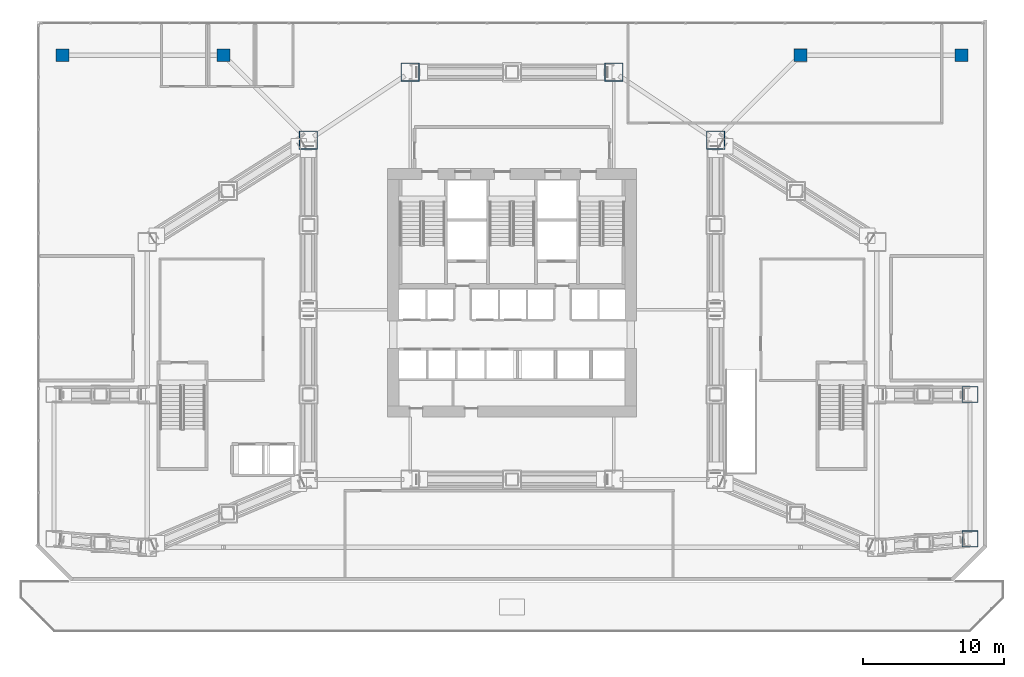
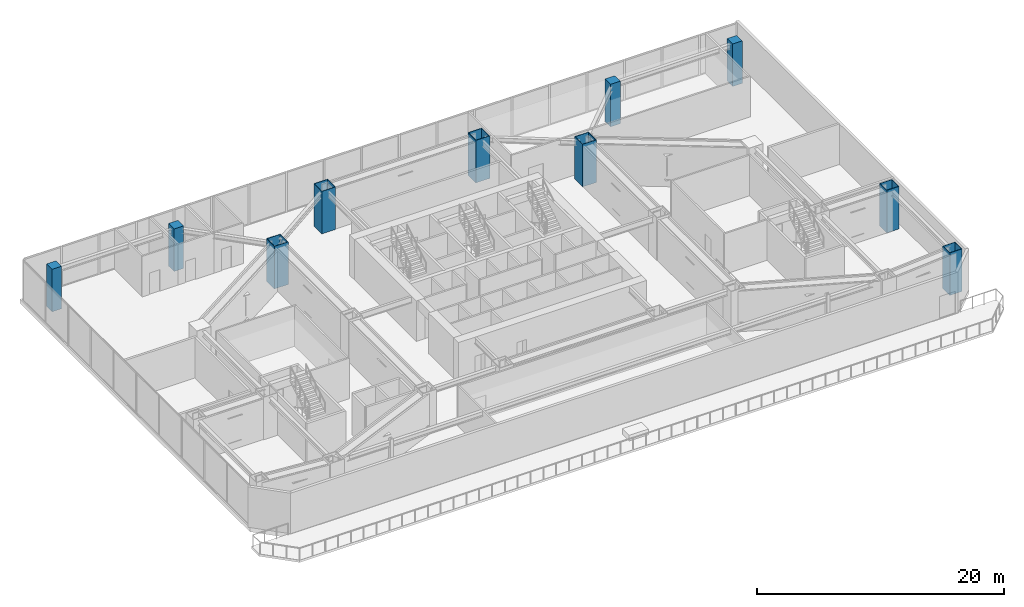
# One storey, part 3 of 39: 10 columns.
"""IFC4 building model written with IfcOpenShell, lengths in metres."""

from ifc_helpers import new_model, si_unit, direction, frame, origin, origin_2d, place, context, subcontext, project, spatial, rectangle, hollow_rectangle, extrude, material, material_profile, profile_set, type_object, element, save


model = new_model("IFC4")

# Units and contexts
model_context = context("Model", 3, precision=1e-05, world=origin(), true_north=direction((0.0, 1.0)))
body_context = subcontext(model_context, "Body", "Model", "MODEL_VIEW")
ifc_project = project(units=[si_unit("LENGTHUNIT", "METRE"), si_unit("AREAUNIT", "SQUARE_METRE"), si_unit("VOLUMEUNIT", "CUBIC_METRE"), si_unit("PLANEANGLEUNIT", "RADIAN"), si_unit("MASSUNIT", "GRAM", prefix="KILO")], contexts=[model_context])

# Site, building, storey
site_placement = place(None, origin())
site = spatial("IfcSite", under=ifc_project, at=site_placement, CompositionType="ELEMENT")
building_placement = place(site_placement, origin())
building = spatial("IfcBuilding", under=site, at=building_placement, Name="Haolan Belvedere Tower", CompositionType="ELEMENT")
storey_placement = place(building_placement, frame((0.0, 0.0, 19.800048828125)))
storey = spatial("IfcBuildingStorey", under=building, at=storey_placement, Name="L04", CompositionType="ELEMENT", Elevation=19.800048828125)

# Columns
ifc_material_1 = material(Name="Steel Q355B", Category="steel")
ifc_material_profile_1 = material_profile(ifc_material_1, hollow_rectangle(XDim=1.14990234375, YDim=1.14990234375, WallThickness=0.0419921875, at=origin_2d()), Name="Steel Q355B")
ifc_profile_set_1 = profile_set([ifc_material_profile_1], Name="Steel Q355B")
column_type_1 = type_object("IfcColumnType", Name="COL-BOX1150x1150x42", PredefinedType="COLUMN", material=ifc_profile_set_1)
for number, where, z_axis, x_axis, name in (
    (1, (70.800048828125, 17.39990234375, 0.0), (0.0, 0.0, 1.0), (1.0, 0.0, 0.0), "L04 column MC-T5-SE (BOX1150x1150x42)"),
    (2, (70.800048828125, 27.60009765625, 0.0), (0.0, 0.0, 1.0), (1.0, 0.0, 0.0), "L04 column MC-T5-NE (BOX1150x1150x42)"),
):
    element("IfcColumn", number, at=place(storey_placement, frame(where, z_axis=z_axis, x_axis=x_axis)), inside=storey, type_object=column_type_1, Name=name, PredefinedType="COLUMN", context=body_context, shape_type="SweptSolid", body=[
        extrude(hollow_rectangle(XDim=1.14990234375, YDim=1.14990234375, WallThickness=0.0419921875, at=origin_2d()), origin(), (0.0, 0.0, 1.0), 4.199951171875),
    ])
ifc_material_profile_2 = material_profile(ifc_material_1, hollow_rectangle(XDim=1.300048828125, YDim=1.300048828125, WallThickness=0.048095703125, at=origin_2d()), Name="Steel Q355B")
ifc_profile_set_2 = profile_set([ifc_material_profile_2], Name="Steel Q355B")
column_type_2 = type_object("IfcColumnType", Name="COL-BOX1300x1300x48", PredefinedType="COLUMN", material=ifc_profile_set_2)
for number, where, z_axis, x_axis, name in (
    (3, (24.0, 45.60009765625, 0.0), (0.0, 0.0, 1.0), (1.0, 0.0, 0.0), "L04 column MC-T3-NW (BOX1300x1300x48)"),
    (4, (52.800048828125, 45.60009765625, 0.0), (0.0, 0.0, 1.0), (1.0, 0.0, 0.0), "L04 column MC-T3-NE (BOX1300x1300x48)"),
    (5, (31.199951171875, 50.39990234375, 0.0), (0.0, 0.0, 1.0), (1.0, 0.0, 0.0), "L04 column MC-T3-N1 (BOX1300x1300x48)"),
    (6, (45.60009765625, 50.39990234375, 0.0), (0.0, 0.0, 1.0), (1.0, 0.0, 0.0), "L04 column MC-T3-N2 (BOX1300x1300x48)"),
):
    element("IfcColumn", number, at=place(storey_placement, frame(where, z_axis=z_axis, x_axis=x_axis)), inside=storey, type_object=column_type_2, Name=name, PredefinedType="COLUMN", context=body_context, shape_type="SweptSolid", body=[
        extrude(hollow_rectangle(XDim=1.300048828125, YDim=1.300048828125, WallThickness=0.048095703125, at=origin_2d()), origin(), (0.0, 0.0, 1.0), 4.199951171875),
    ])
ifc_material_2 = material(Name="Concrete C50/60", Category="concrete")
ifc_material_profile_3 = material_profile(ifc_material_2, rectangle(XDim=0.89990234375, YDim=0.89990234375, at=origin_2d()), Name="Concrete C50/60")
ifc_profile_set_3 = profile_set([ifc_material_profile_3], Name="Concrete C50/60")
column_type_3 = type_object("IfcColumnType", Name="COL-RC900x900", PredefinedType="COLUMN", material=ifc_profile_set_3)
for number, where, z_axis, x_axis, name in (
    (7, (6.60009765625, 51.60009765625, 0.0), (0.0, 0.0, 1.0), (1.0, 0.0, 0.0), "L04 column PC-NW-1 (RC900x900)"),
    (8, (18.0, 51.60009765625, 0.0), (0.0, 0.0, 1.0), (1.0, 0.0, 0.0), "L04 column PC-NW-2 (RC900x900)"),
    (9, (58.800048828125, 51.60009765625, 0.0), (0.0, 0.0, 1.0), (1.0, 0.0, 0.0), "L04 column PC-NE-1 (RC900x900)"),
    (10, (70.199951171875, 51.60009765625, 0.0), (0.0, 0.0, 1.0), (1.0, 0.0, 0.0), "L04 column PC-NE-2 (RC900x900)"),
):
    element("IfcColumn", number, at=place(storey_placement, frame(where, z_axis=z_axis, x_axis=x_axis)), inside=storey, type_object=column_type_3, Name=name, PredefinedType="COLUMN", context=body_context, shape_type="SweptSolid", body=[
        extrude(rectangle(XDim=0.89990234375, YDim=0.89990234375, at=origin_2d()), origin(), (0.0, 0.0, 1.0), 4.199951171875),
    ])

save(model, "model.ifc")
